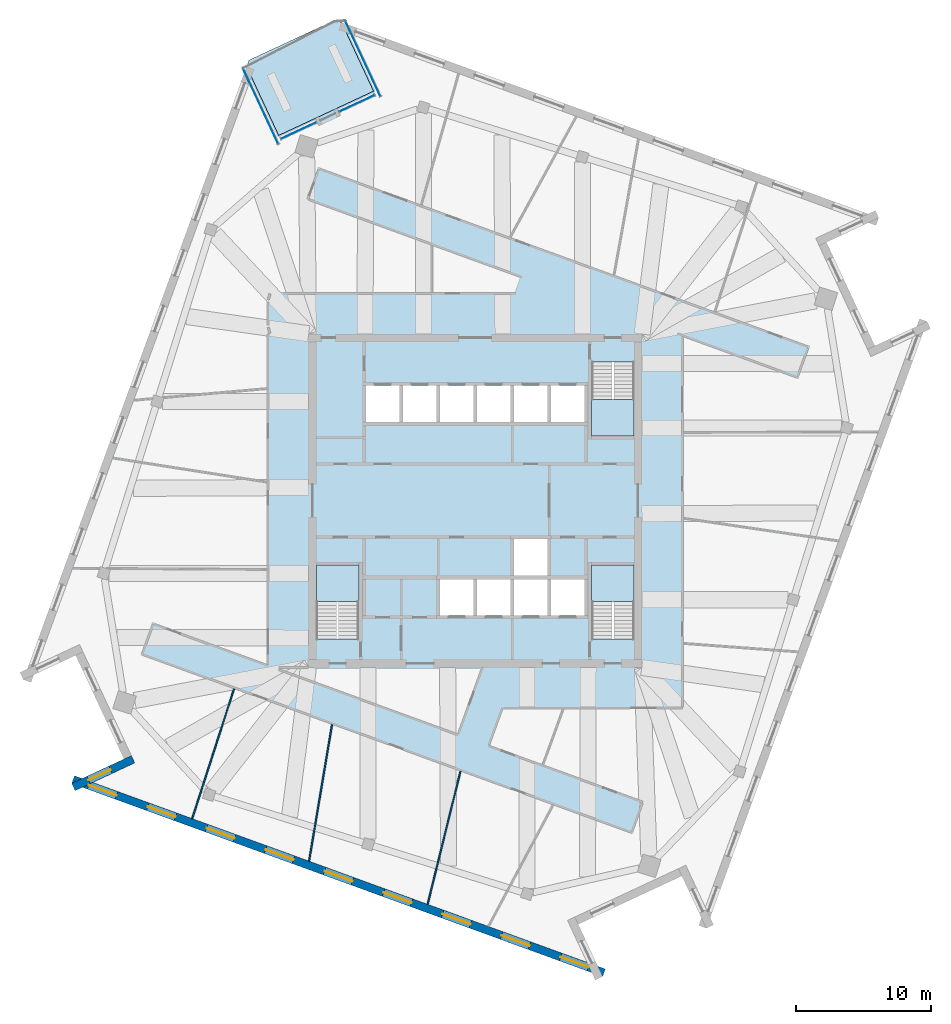
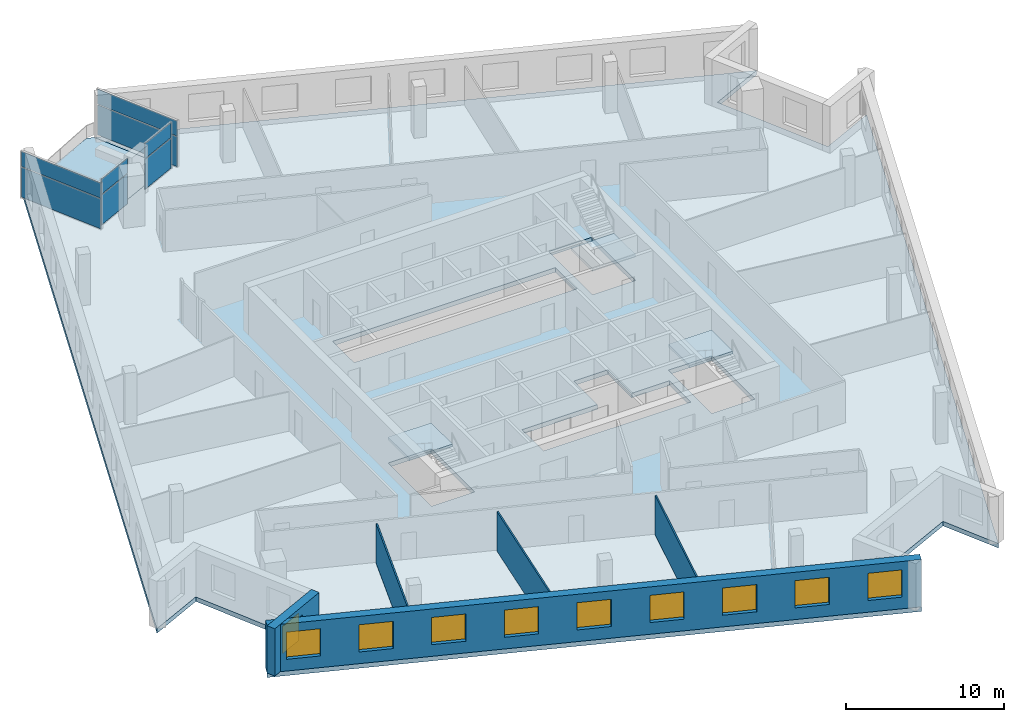
# One storey, part 5 of 13: 10 windows, 8 plates, 5 slabs, 5 walls, 10 openings, 7 elements without a shape of their own.
"""IFC4 building model written with IfcOpenShell, lengths in metres."""

import ifcopenshell
import ifcopenshell.guid

model = None  # the IFC model being written
_history = None  # IfcOwnerHistory: only IFC2X3 demands one
_inside = {}  # id of a spatial element -> (the spatial element, [elements in it])
_under = {}  # id of a project, library or spatial element -> (it, [spatial elements below it])
_declared = {}  # id of a project -> (the project, [libraries it declares])
_typed = {}  # id of a type object -> (the type object, [elements of that type])
_made_of = {}  # id of a material, layer set ... -> (it, [elements and type objects made of it])


def new_model(schema):
    """Start an empty IFC model of exactly this schema.

    Asked for "IFC4X3", IfcOpenShell would pick the latest addendum, in which some entities
    have other attributes; the version numbers below select the first issue.
    IFC2X3 requires an IfcOwnerHistory on every rooted entity: one is made here for all.
    """
    global model, _history
    if schema == "IFC4X3":
        model = ifcopenshell.file(schema_version=(4, 3, 0, 0))
    else:
        model = ifcopenshell.file(schema=schema)
    _inside.clear()
    _under.clear()
    _declared.clear()
    _typed.clear()
    _made_of.clear()
    _history = None
    if model.schema == "IFC2X3":
        org = make("IfcOrganization", Name="unknown")
        user = make(
            "IfcPersonAndOrganization",
            ThePerson=make("IfcPerson", FamilyName="unknown"),
            TheOrganization=org,
        )
        app = make(
            "IfcApplication",
            ApplicationDeveloper=org,
            Version="unknown",
            ApplicationFullName="unknown",
            ApplicationIdentifier="unknown",
        )
        _history = make(
            "IfcOwnerHistory",
            OwningUser=user,
            OwningApplication=app,
            ChangeAction="ADDED",
            CreationDate=0,
        )
    return model


def make(cls, **values):
    """One entity of the class cls with the attributes given. An attribute that is None is left unset."""
    return model.create_entity(
        cls, **{name: value for name, value in values.items() if value is not None}
    )


def rooted(cls, **values):
    """An entity with a GlobalId (a new one), such as an element, a storey or a relation."""
    return make(cls, GlobalId=ifcopenshell.guid.new(), OwnerHistory=_history, **values)


def si_unit(unit_type, name, prefix=None):
    """IfcSIUnit, for example si_unit("LENGTHUNIT", "METRE", prefix="MILLI")."""
    return make("IfcSIUnit", UnitType=unit_type, Prefix=prefix, Name=name)


def assignment(units):
    """IfcUnitAssignment: the units of a project."""
    return None if units is None else make("IfcUnitAssignment", Units=units)


def point(xyz):
    """IfcCartesianPoint."""
    return None if xyz is None else make("IfcCartesianPoint", Coordinates=xyz)


def direction(xyz):
    """IfcDirection."""
    return None if xyz is None else make("IfcDirection", DirectionRatios=xyz)


def frame(location, z_axis=None, x_axis=None):
    """IfcAxis2Placement3D, a coordinate frame: its origin and axes. An axis left out is left unset."""
    return make(
        "IfcAxis2Placement3D",
        Location=point(location),
        Axis=direction(z_axis),
        RefDirection=direction(x_axis),
    )


def frame_2d(location, x_axis=None):
    """IfcAxis2Placement2D, a coordinate frame in the plane: its origin and x axis."""
    return make(
        "IfcAxis2Placement2D", Location=point(location), RefDirection=direction(x_axis)
    )


def origin():
    """The frame at (0, 0, 0) with its axes left unset."""
    return frame((0.0, 0.0, 0.0))


def origin_2d():
    """The frame at (0, 0) in the plane with its x axis left unset."""
    return frame_2d((0.0, 0.0))


def place(relative_to, where):
    """IfcLocalPlacement: puts the frame where relative to a parent placement (None: the world)."""
    return make(
        "IfcLocalPlacement", PlacementRelTo=relative_to, RelativePlacement=where
    )


def context(
    kind, dimensions, precision=None, world=None, true_north=None, identifier=None
):
    """IfcGeometricRepresentationContext, for example the 3D "Model" context."""
    return make(
        "IfcGeometricRepresentationContext",
        ContextIdentifier=identifier,
        ContextType=kind,
        CoordinateSpaceDimension=dimensions,
        Precision=precision,
        WorldCoordinateSystem=world,
        TrueNorth=true_north,
    )


def subcontext(parent, identifier, kind, view, scale=None):
    """IfcGeometricRepresentationSubContext, for example "Body" below "Model"."""
    return make(
        "IfcGeometricRepresentationSubContext",
        ContextIdentifier=identifier,
        ContextType=kind,
        ParentContext=parent,
        TargetScale=scale,
        TargetView=view,
    )


def project(units=None, contexts=None):
    """IfcProject with its units and contexts."""
    return rooted(
        "IfcProject",
        Name="project",
        RepresentationContexts=contexts,
        UnitsInContext=assignment(units),
    )


def spatial(cls, under=None, at=None, **own):
    """A site, building, storey or space (cls), placed at a placement, below another one or the project."""
    s = rooted(cls, ObjectPlacement=at, **own)
    if under is not None:
        _under.setdefault(under.id(), (under, []))[1].append(s)
    return s


def polyline(points):
    """IfcPolyline through the points."""
    return make("IfcPolyline", Points=[point(p) for p in points])


def profile(cls, at=None, kind="AREA", **sizes):
    """A parametric profile (cls). Its sizes go by their IFC names, for example OverallWidth=200.0."""
    return make(cls, ProfileType=kind, Position=at, **sizes)


def rectangle(**sizes):
    """IfcRectangleProfileDef."""
    return profile("IfcRectangleProfileDef", **sizes)


def outline(outer, holes=None, kind="AREA"):
    """IfcArbitraryClosedProfileDef: a profile drawn as a closed curve; with holes, ...WithVoids."""
    if holes is None:
        return make("IfcArbitraryClosedProfileDef", ProfileType=kind, OuterCurve=outer)
    return make(
        "IfcArbitraryProfileDefWithVoids",
        ProfileType=kind,
        OuterCurve=outer,
        InnerCurves=holes,
    )


def extrude(swept, where, along, depth):
    """IfcExtrudedAreaSolid: the profile swept, set in the frame where, extruded along a direction by depth."""
    return make(
        "IfcExtrudedAreaSolid",
        SweptArea=swept,
        Position=where,
        ExtrudedDirection=direction(along),
        Depth=depth,
    )


def shape(context_of_items, identifier, shape_type, items):
    """IfcShapeRepresentation: the items that make up one representation, for example the "Body"."""
    return make(
        "IfcShapeRepresentation",
        ContextOfItems=context_of_items,
        RepresentationIdentifier=identifier,
        RepresentationType=shape_type,
        Items=items,
    )


def material(Name=None, Category=None):
    """IfcMaterial."""
    return make("IfcMaterial", Name=Name, Category=Category)


def layer(
    of_material, thickness, ventilated=None, Name=None, Category=None, Priority=None
):
    """IfcMaterialLayer: one layer of a wall or slab, of a material (None: an air gap)."""
    return make(
        "IfcMaterialLayer",
        Material=of_material,
        LayerThickness=thickness,
        IsVentilated=ventilated,
        Name=Name,
        Category=Category,
        Priority=Priority,
    )


def layer_set(layers, Name=None):
    """IfcMaterialLayerSet."""
    return make("IfcMaterialLayerSet", MaterialLayers=layers, LayerSetName=Name)


def made_of(thing, what):
    """Note that an element or type object is made of a material, layer set ...; save() writes the relation."""
    if what is not None:
        _made_of.setdefault(what.id(), (what, []))[1].append(thing)
    return thing


def type_object(cls, material=None, **own):
    """A type object (cls), such as IfcWallType, which elements share."""
    return made_of(rooted(cls, **own), material)


def element(
    cls,
    number,
    at=None,
    inside=None,
    cuts=None,
    type_object=None,
    material=None,
    context=None,
    identifier="Body",
    shape_type=None,
    held_by="IfcProductDefinitionShape",
    body=None,
    shapes=None,
    **own,
):
    """One element of the class cls, such as IfcWall. Its Tag is "e" and its number.

    at: its placement. inside: the storey or other place that contains it. cuts: it is an
    opening in that element (IfcRelVoidsElement). A single representation is given by context,
    identifier, shape_type and body (its items); several are given by shapes. held_by: the class
    of the entity that holds the representations. save() writes the other relations.
    """
    e = rooted(cls, Tag="e%d" % number, ObjectPlacement=at, **own)
    if body is not None:
        shapes = [shape(context, identifier, shape_type, body)]
    if shapes is not None:
        e.Representation = make(held_by, Representations=shapes)
    if inside is not None:
        _inside.setdefault(inside.id(), (inside, []))[1].append(e)
    if cuts is not None:
        rooted(
            "IfcRelVoidsElement", RelatingBuildingElement=cuts, RelatedOpeningElement=e
        )
    if type_object is not None:
        _typed.setdefault(type_object.id(), (type_object, []))[1].append(e)
    return made_of(e, material)


def fill(opening, filler):
    """IfcRelFillsElement: the door or window that sits in an opening."""
    return rooted(
        "IfcRelFillsElement",
        RelatingOpeningElement=opening,
        RelatedBuildingElement=filler,
    )


def aggregate(whole, parts):
    """IfcRelAggregates: a whole, such as a stair, and the parts it consists of."""
    return rooted("IfcRelAggregates", RelatingObject=whole, RelatedObjects=parts)


def save(model, path):
    """Write the relations noted so far, then the file.

    IfcRelAggregates (storeys below a building ...), IfcRelContainedInSpatialStructure (elements
    in a storey), IfcRelDefinesByType, IfcRelAssociatesMaterial and IfcRelDeclares: one each for
    every whole, place, type object, material and project.
    """
    for whole, parts in _under.values():
        aggregate(whole, parts)
    for where, things in _inside.values():
        rooted(
            "IfcRelContainedInSpatialStructure",
            RelatedElements=things,
            RelatingStructure=where,
        )
    for kind, things in _typed.values():
        rooted("IfcRelDefinesByType", RelatedObjects=things, RelatingType=kind)
    for what, things in _made_of.values():
        rooted("IfcRelAssociatesMaterial", RelatedObjects=things, RelatingMaterial=what)
    for by, libraries in _declared.values():
        rooted("IfcRelDeclares", RelatingContext=by, RelatedDefinitions=libraries)
    model.write(path)


model = new_model("IFC4")

# Units and contexts
model_context = context("Model", 3, precision=1e-05, world=origin(), true_north=direction((0.0, 1.0)))
body_context = subcontext(model_context, "Body", "Model", "MODEL_VIEW")
ifc_project = project(units=[si_unit("LENGTHUNIT", "METRE"), si_unit("AREAUNIT", "SQUARE_METRE"), si_unit("VOLUMEUNIT", "CUBIC_METRE"), si_unit("PLANEANGLEUNIT", "RADIAN"), si_unit("MASSUNIT", "GRAM", prefix="KILO")], contexts=[model_context])

# Site, building, storey
site_placement = place(None, origin())
site = spatial("IfcSite", under=ifc_project, at=site_placement, CompositionType="ELEMENT")
building_placement = place(site_placement, origin())
building = spatial("IfcBuilding", under=site, at=building_placement, Name="Dilmun Exchange Tower", CompositionType="ELEMENT")
storey_placement = place(building_placement, frame((0.0, 0.0, 304.5)))
storey = spatial("IfcBuildingStorey", under=building, at=storey_placement, Name="L72", CompositionType="ELEMENT", Elevation=304.5)

# Stair, slab
ifc_material_1 = material(Name="Concrete C40/50", Category="concrete")
stair_type = type_object("IfcStairType", Name="Exit stair 1500 half-turn", PredefinedType="HALF_TURN_STAIR", material=ifc_material_1)
stair_1_placement = place(storey_placement, origin())
stair_1 = element("IfcStair", 1, at=stair_1_placement, inside=storey, type_object=stair_type, Name="L72 Protected exit stair ST1", PredefinedType="HALF_TURN_STAIR")
ifc_layer_1 = layer(ifc_material_1, 0.199951171875)
ifc_layer_set_1 = layer_set([ifc_layer_1], Name="Concrete C40/50")
slab_type_1 = type_object("IfcSlabType", Name="Exit stair landing 200", PredefinedType="LANDING", material=ifc_layer_set_1)
slab_1_placement = place(storey_placement, frame((0.0, 0.0, 1.800048828125)))
slab_1 = element("IfcSlab", 2, at=slab_1_placement, type_object=slab_type_1, Name="ST1 landing 1", PredefinedType="LANDING", context=body_context, shape_type="SweptSolid", body=[
    extrude(outline(polyline([(8.64990234375, 7.5), (8.64990234375, 4.800048828125), (11.800048828125, 4.800048828125), (11.800048828125, 7.5), (8.64990234375, 7.5)])), origin(), (0.0, 0.0, 1.0), 0.199951171875),
])
aggregate(stair_1, [slab_1])

stair_2_placement = place(storey_placement, origin())
stair_2 = element("IfcStair", 3, at=stair_2_placement, inside=storey, type_object=stair_type, Name="L72 Protected exit stair ST2", PredefinedType="HALF_TURN_STAIR")
slab_2_placement = place(storey_placement, frame((0.0, 0.0, 1.800048828125)))
slab_2 = element("IfcSlab", 4, at=slab_2_placement, type_object=slab_type_1, Name="ST2 landing 1", PredefinedType="LANDING", context=body_context, shape_type="SweptSolid", body=[
    extrude(outline(polyline([(-8.64990234375, -7.5), (-8.64990234375, -4.800048828125), (-11.800048828125, -4.800048828125), (-11.800048828125, -7.5), (-8.64990234375, -7.5)])), origin(), (0.0, 0.0, 1.0), 0.199951171875),
])
aggregate(stair_2, [slab_2])

stair_3_placement = place(storey_placement, origin())
stair_3 = element("IfcStair", 5, at=stair_3_placement, inside=storey, type_object=stair_type, Name="L72 Protected exit stair ST3", PredefinedType="HALF_TURN_STAIR")
slab_3_placement = place(storey_placement, frame((0.0, 0.0, 1.800048828125)))
slab_3 = element("IfcSlab", 6, at=slab_3_placement, type_object=slab_type_1, Name="ST3 landing 1", PredefinedType="LANDING", context=body_context, shape_type="SweptSolid", body=[
    extrude(outline(polyline([(11.800048828125, -7.5), (11.800048828125, -4.800048828125), (8.64990234375, -4.800048828125), (8.64990234375, -7.5), (11.800048828125, -7.5)])), origin(), (0.0, 0.0, 1.0), 0.199951171875),
])
aggregate(stair_3, [slab_3])

# Curtain wall, plates
ifc_material_2 = material(Name="Anodised aluminium and clear glass", Category="aluminium")
curtain_wall_type = type_object("IfcCurtainWallType", Name="Garden corner glazing", PredefinedType="NOTDEFINED", material=ifc_material_2)
curtain_wall_1_placement = place(storey_placement, origin())
curtain_wall_1 = element("IfcCurtainWall", 7, at=curtain_wall_1_placement, inside=storey, type_object=curtain_wall_type, Name="Garden corner glazing run GC1.1", PredefinedType="NOTDEFINED")
ifc_material_3 = material(Name="Clear glass", Category="glass")
ifc_layer_2 = layer(ifc_material_3, 0.028076171875)
ifc_layer_set_2 = layer_set([ifc_layer_2], Name="Clear glass")
plate_type = type_object("IfcPlateType", Name="Garden corner glazing glass panel 28", PredefinedType="CURTAIN_PANEL", material=ifc_layer_set_2)
plate_1_placement = place(storey_placement, frame((-8.350830078125, 32.84033203125, 0.06005859375), z_axis=(0.0, 0.0, 1.0), x_axis=(0.4226234014, -0.906305390357, 0.0)))
plate_1 = element("IfcPlate", 8, at=plate_1_placement, type_object=plate_type, Name="GC1.1 panel 1.1", PredefinedType="CURTAIN_PANEL", context=body_context, shape_type="SweptSolid", body=[
    extrude(rectangle(XDim=6.12646484375, YDim=0.028076171875, at=origin_2d()), origin(), (0.0, 0.0, 1.0), 2.31005859375),
])
plate_2_placement = place(storey_placement, frame((-8.350830078125, 32.84033203125, 2.43017578125), z_axis=(0.0, 0.0, 1.0), x_axis=(0.4226234014, -0.906305390357, 0.0)))
plate_2 = element("IfcPlate", 9, at=plate_2_placement, type_object=plate_type, Name="GC1.1 panel 1.2", PredefinedType="CURTAIN_PANEL", context=body_context, shape_type="SweptSolid", body=[
    extrude(rectangle(XDim=6.12646484375, YDim=0.028076171875, at=origin_2d()), origin(), (0.0, 0.0, 1.0), 1.159912109375),
])
aggregate(curtain_wall_1, [plate_1, plate_2])

curtain_wall_2_placement = place(storey_placement, origin())
curtain_wall_2 = element("IfcCurtainWall", 10, at=curtain_wall_2_placement, inside=storey, type_object=curtain_wall_type, Name="Garden corner glazing run GC2.1", PredefinedType="NOTDEFINED")
plate_3_placement = place(storey_placement, frame((-8.7841796875, 29.523193359375, 0.06005859375), z_axis=(0.0, 0.0, 1.0), x_axis=(-0.906311303987, -0.422610719535, 0.0)))
plate_3 = element("IfcPlate", 11, at=plate_3_placement, type_object=plate_type, Name="GC2.1 panel 1.1", PredefinedType="CURTAIN_PANEL", context=body_context, shape_type="SweptSolid", body=[
    extrude(rectangle(XDim=2.869140625, YDim=0.028076171875, at=origin_2d()), origin(), (0.0, 0.0, 1.0), 2.31005859375),
])
plate_4_placement = place(storey_placement, frame((-8.7841796875, 29.523193359375, 2.43017578125), z_axis=(0.0, 0.0, 1.0), x_axis=(-0.906311303987, -0.422610719535, 0.0)))
plate_4 = element("IfcPlate", 12, at=plate_4_placement, type_object=plate_type, Name="GC2.1 panel 1.2", PredefinedType="CURTAIN_PANEL", context=body_context, shape_type="SweptSolid", body=[
    extrude(rectangle(XDim=2.869140625, YDim=0.028076171875, at=origin_2d()), origin(), (0.0, 0.0, 1.0), 1.159912109375),
])
aggregate(curtain_wall_2, [plate_3, plate_4])

curtain_wall_3_placement = place(storey_placement, origin())
curtain_wall_3 = element("IfcCurtainWall", 13, at=curtain_wall_3_placement, inside=storey, type_object=curtain_wall_type, Name="Garden corner glazing run GC2.3", PredefinedType="NOTDEFINED")
plate_5_placement = place(storey_placement, frame((-13.12451171875, 27.499267578125, 0.06005859375), z_axis=(0.0, 0.0, 1.0), x_axis=(-0.906311303987, -0.422610719535, 0.0)))
plate_5 = element("IfcPlate", 14, at=plate_5_placement, type_object=plate_type, Name="GC2.3 panel 1.1", PredefinedType="CURTAIN_PANEL", context=body_context, shape_type="SweptSolid", body=[
    extrude(rectangle(XDim=2.869140625, YDim=0.028076171875, at=origin_2d()), origin(), (0.0, 0.0, 1.0), 2.31005859375),
])
plate_6_placement = place(storey_placement, frame((-13.12451171875, 27.499267578125, 2.43017578125), z_axis=(0.0, 0.0, 1.0), x_axis=(-0.906311303987, -0.422610719535, 0.0)))
plate_6 = element("IfcPlate", 15, at=plate_6_placement, type_object=plate_type, Name="GC2.3 panel 1.2", PredefinedType="CURTAIN_PANEL", context=body_context, shape_type="SweptSolid", body=[
    extrude(rectangle(XDim=2.869140625, YDim=0.028076171875, at=origin_2d()), origin(), (0.0, 0.0, 1.0), 1.159912109375),
])
aggregate(curtain_wall_3, [plate_5, plate_6])

curtain_wall_4_placement = place(storey_placement, origin())
curtain_wall_4 = element("IfcCurtainWall", 16, at=curtain_wall_4_placement, inside=storey, type_object=curtain_wall_type, Name="Garden corner glazing run GC3.1", PredefinedType="NOTDEFINED")
plate_7_placement = place(storey_placement, frame((-15.944091796875, 29.299560546875, 0.06005859375), z_axis=(0.0, 0.0, 1.0), x_axis=(-0.4226234014, 0.906305390357, 0.0)))
plate_7 = element("IfcPlate", 17, at=plate_7_placement, type_object=plate_type, Name="GC3.1 panel 1.1", PredefinedType="CURTAIN_PANEL", context=body_context, shape_type="SweptSolid", body=[
    extrude(rectangle(XDim=6.12646484375, YDim=0.028076171875, at=origin_2d()), origin(), (0.0, 0.0, 1.0), 2.31005859375),
])
plate_8_placement = place(storey_placement, frame((-15.944091796875, 29.299560546875, 2.43017578125), z_axis=(0.0, 0.0, 1.0), x_axis=(-0.4226234014, 0.906305390357, 0.0)))
plate_8 = element("IfcPlate", 18, at=plate_8_placement, type_object=plate_type, Name="GC3.1 panel 1.2", PredefinedType="CURTAIN_PANEL", context=body_context, shape_type="SweptSolid", body=[
    extrude(rectangle(XDim=6.12646484375, YDim=0.028076171875, at=origin_2d()), origin(), (0.0, 0.0, 1.0), 1.159912109375),
])
aggregate(curtain_wall_4, [plate_7, plate_8])

# Slabs
ifc_layer_3 = layer(ifc_material_1, 0.35009765625)
ifc_layer_set_3 = layer_set([ifc_layer_3], Name="Concrete C40/50")
slab_type_2 = type_object("IfcSlabType", Name="RC floor slab 350", PredefinedType="FLOOR", material=ifc_layer_set_3)
slab_4_placement = place(storey_placement, frame((0.0, 0.0, -0.35009765625)))
element("IfcSlab", 19, at=slab_4_placement, inside=storey, type_object=slab_type_2, Name="Floor slab", PredefinedType="FLOOR", context=body_context, shape_type="SweptSolid", body=[
    extrude(outline(polyline([(26.100341796875, 19.20068359375), (29.692626953125, 11.497314453125), (33.57666015625, 13.308349609375), (17.166748046875, -31.77734375), (15.355712890625, -27.893310546875), (7.652099609375, -31.485595703125), (9.463134765625, -35.36962890625), (-29.984375, -21.011962890625), (-26.100341796875, -19.20068359375), (-29.692626953125, -11.497314453125), (-33.57666015625, -13.308349609375), (-16.9921875, 32.257080078125), (-14.60595703125, 27.1396484375), (-7.556396484375, 30.4267578125), (-9.94287109375, 35.544189453125), (29.984375, 21.011962890625), (26.100341796875, 19.20068359375)]), holes=[polyline([(-8.64990234375, -4.800048828125), (-11.800048828125, -4.800048828125), (-11.800048828125, -10.294921875), (-8.64990234375, -10.294921875), (-8.64990234375, -4.800048828125)]), polyline([(11.800048828125, -4.800048828125), (8.64990234375, -4.800048828125), (8.64990234375, -10.294921875), (11.800048828125, -10.294921875), (11.800048828125, -4.800048828125)]), polyline([(2.875, -5.85009765625), (-2.625, -5.85009765625), (-2.625, -8.550048828125), (8.125, -8.550048828125), (8.125, -5.85009765625), (5.375, -5.85009765625), (5.375, -2.85009765625), (2.875, -2.85009765625), (2.875, -5.85009765625)]), polyline([(8.125, 5.85009765625), (8.125, 8.550048828125), (-8.125, 8.550048828125), (-8.125, 5.85009765625), (8.125, 5.85009765625)]), polyline([(8.64990234375, 10.294921875), (8.64990234375, 4.800048828125), (11.800048828125, 4.800048828125), (11.800048828125, 10.294921875), (8.64990234375, 10.294921875)])]), origin(), (0.0, 0.0, 1.0), 0.35009765625),
])
ifc_layer_4 = layer(ifc_material_1, 0.300048828125)
ifc_layer_set_4 = layer_set([ifc_layer_4], Name="Concrete C40/50")
slab_type_3 = type_object("IfcSlabType", Name="RC garden terrace slab 300", PredefinedType="FLOOR", material=ifc_layer_set_4)
slab_5_placement = place(storey_placement, frame((0.0, 0.0, -0.300048828125)))
element("IfcSlab", 20, at=slab_5_placement, inside=storey, type_object=slab_type_3, Name="Garden terrace slab", PredefinedType="FLOOR", context=body_context, shape_type="SweptSolid", body=[
    extrude(outline(polyline([(-14.60595703125, 27.1396484375), (-16.9921875, 32.257080078125), (-16.8212890625, 32.726806640625), (-10.41259765625, 35.715087890625), (-9.94287109375, 35.544189453125), (-7.556396484375, 30.4267578125), (-14.60595703125, 27.1396484375)])), origin(), (0.0, 0.0, 1.0), 0.300048828125),
])

# Walls
ifc_material_4 = material(Name="Partition 100")
ifc_layer_5 = layer(ifc_material_4, 0.10009765625)
ifc_layer_set_5 = layer_set([ifc_layer_5], Name="Partition 100")
wall_type_1 = type_object("IfcWallType", Name="Partition 100", PredefinedType="PARTITIONING", material=ifc_layer_set_5)
wall_1_placement = place(storey_placement, frame((-21.032958984375, -23.62939453125, 0.0), z_axis=(0.0, 0.0, 1.0), x_axis=(0.306852130572, 0.951757201162, 0.0)))
element("IfcWall", 21, at=wall_1_placement, inside=storey, type_object=wall_type_1, Name="Partition", PredefinedType="PARTITIONING", context=body_context, shape_type="SweptSolid", body=[
    extrude(rectangle(XDim=10.133056640625, YDim=0.10009765625, at=frame_2d((5.06640625, 0.0))), origin(), (0.0, 0.0, 1.0), 3.050048828125),
])
wall_2_placement = place(storey_placement, frame((-12.349365234375, -26.789794921875, 0.0), z_axis=(0.0, 0.0, 1.0), x_axis=(0.165814832818, 0.986156904969, 0.0)))
element("IfcWall", 22, at=wall_2_placement, inside=storey, type_object=wall_type_1, Name="Partition", PredefinedType="PARTITIONING", context=body_context, shape_type="SweptSolid", body=[
    extrude(rectangle(XDim=10.288818359375, YDim=0.10009765625, at=frame_2d((5.14453125, 0.0))), origin(), (0.0, 0.0, 1.0), 3.050048828125),
])
wall_3_placement = place(storey_placement, frame((-3.539794921875, -29.99609375, 0.0), z_axis=(0.0, 0.0, 1.0), x_axis=(0.239628478721, 0.970864662137, 0.0)))
element("IfcWall", 23, at=wall_3_placement, inside=storey, type_object=wall_type_1, Name="Partition", PredefinedType="PARTITIONING", context=body_context, shape_type="SweptSolid", body=[
    extrude(rectangle(XDim=10.18017578125, YDim=0.10009765625, at=frame_2d((5.090087890625, 0.0))), origin(), (0.0, 0.0, 1.0), 3.050048828125),
])

# Wall, opening, window
ifc_material_5 = material(Name="Precast concrete C50/60", Category="concrete")
ifc_layer_6 = layer(ifc_material_5, 0.60009765625)
ifc_layer_set_6 = layer_set([ifc_layer_6], Name="Precast concrete C50/60")
wall_type_2 = type_object("IfcWallType", Name="Precast stone-clad wall 600", PredefinedType="STANDARD", material=ifc_layer_set_6)
wall_4_placement = place(storey_placement, frame((-25.4296875, -19.218994140625, 0.0), z_axis=(0.0, 0.0, 1.0), x_axis=(-0.906315863802, -0.422600940628, 0.0)))
wall_4 = element("IfcWall", 24, at=wall_4_placement, inside=storey, type_object=wall_type_2, Name="Facade wall L72-06", PredefinedType="STANDARD", context=body_context, shape_type="SweptSolid", body=[
    extrude(rectangle(XDim=4.8857421875, YDim=0.60009765625, at=frame_2d((2.44287109375, 0.0))), origin(), (0.0, 0.0, 1.0), 3.64990234375),
])
opening_1_placement = place(wall_4_placement, frame((1.8427734375, 0.0, 0.89990234375)))
opening_1 = element("IfcOpeningElement", 25, at=opening_1_placement, cuts=wall_4, Name="Opening W180-210", PredefinedType="OPENING", context=body_context, shape_type="SweptSolid", body=[
    extrude(rectangle(XDim=1.800048828125, YDim=2.10009765625, at=frame_2d((0.89990234375, 1.050048828125))), frame((0.0, 0.31005859375, 0.0), z_axis=(0.0, -1.0, 0.0), x_axis=(1.0, 0.0, 0.0)), (0.0, 0.0, 1.0), 0.6201171875),
])
ifc_material_6 = material(Name="Clear low-emissivity glass in aluminium frame", Category="aluminium")
window_type_1 = type_object("IfcWindowType", Name="Punched window 1800 x 2100", PartitioningType="DOUBLE_PANEL_VERTICAL", PredefinedType="WINDOW", material=ifc_material_6)
window_1_placement = place(opening_1_placement, origin())
window_1 = element("IfcWindow", 26, at=window_1_placement, inside=storey, type_object=window_type_1, Name="Window 7.1", OverallHeight=2.10009765625, OverallWidth=1.800048828125, PartitioningType="SINGLE_PANEL", PredefinedType="WINDOW", context=body_context, shape_type="SweptSolid", body=[
    extrude(rectangle(XDim=1.800048828125, YDim=2.10009765625, at=frame_2d((0.89990234375, 1.050048828125))), frame((0.0, 0.030029296875, 0.0), z_axis=(0.0, -1.0, 0.0), x_axis=(1.0, 0.0, 0.0)), (0.0, 0.0, 1.0), 0.06005859375),
])
fill(opening_1, window_1)

# Wall, openings, windows
wall_5_placement = place(storey_placement, frame((-29.8818359375, -20.72998046875, 0.0), z_axis=(0.0, 0.0, 1.0), x_axis=(0.939693709578, -0.34201715188, 0.0)))
wall_5 = element("IfcWall", 27, at=wall_5_placement, inside=storey, type_object=wall_type_2, Name="Facade wall L72-07", PredefinedType="STANDARD", context=body_context, shape_type="SweptSolid", body=[
    extrude(rectangle(XDim=41.9794921875, YDim=0.60009765625, at=frame_2d((20.98974609375, 0.0))), origin(), (0.0, 0.0, 1.0), 3.64990234375),
])
opening_2_placement = place(wall_5_placement, frame((1.232177734375, 0.0, 0.89990234375)))
opening_2 = element("IfcOpeningElement", 28, at=opening_2_placement, cuts=wall_5, Name="Opening W220-210", PredefinedType="OPENING", context=body_context, shape_type="SweptSolid", body=[
    extrude(rectangle(XDim=2.199951171875, YDim=2.10009765625, at=frame_2d((1.10009765625, 1.050048828125))), frame((0.0, 0.31005859375, 0.0), z_axis=(0.0, -1.0, 0.0), x_axis=(1.0, 0.0, 0.0)), (0.0, 0.0, 1.0), 0.6201171875),
])
opening_3_placement = place(wall_5_placement, frame((5.896484375, 0.0, 0.89990234375)))
opening_3 = element("IfcOpeningElement", 29, at=opening_3_placement, cuts=wall_5, Name="Opening W220-210", PredefinedType="OPENING", context=body_context, shape_type="SweptSolid", body=[
    extrude(rectangle(XDim=2.199951171875, YDim=2.10009765625, at=frame_2d((1.10009765625, 1.050048828125))), frame((0.0, 0.31005859375, 0.0), z_axis=(0.0, -1.0, 0.0), x_axis=(1.0, 0.0, 0.0)), (0.0, 0.0, 1.0), 0.6201171875),
])
opening_4_placement = place(wall_5_placement, frame((10.560791015625, 0.0, 0.89990234375)))
opening_4 = element("IfcOpeningElement", 30, at=opening_4_placement, cuts=wall_5, Name="Opening W220-210", PredefinedType="OPENING", context=body_context, shape_type="SweptSolid", body=[
    extrude(rectangle(XDim=2.199951171875, YDim=2.10009765625, at=frame_2d((1.10009765625, 1.050048828125))), frame((0.0, 0.31005859375, 0.0), z_axis=(0.0, -1.0, 0.0), x_axis=(1.0, 0.0, 0.0)), (0.0, 0.0, 1.0), 0.6201171875),
])
opening_5_placement = place(wall_5_placement, frame((15.22509765625, 0.0, 0.89990234375)))
opening_5 = element("IfcOpeningElement", 31, at=opening_5_placement, cuts=wall_5, Name="Opening W220-210", PredefinedType="OPENING", context=body_context, shape_type="SweptSolid", body=[
    extrude(rectangle(XDim=2.199951171875, YDim=2.10009765625, at=frame_2d((1.10009765625, 1.050048828125))), frame((0.0, 0.31005859375, 0.0), z_axis=(0.0, -1.0, 0.0), x_axis=(1.0, 0.0, 0.0)), (0.0, 0.0, 1.0), 0.6201171875),
])
opening_6_placement = place(wall_5_placement, frame((19.8896484375, 0.0, 0.89990234375)))
opening_6 = element("IfcOpeningElement", 32, at=opening_6_placement, cuts=wall_5, Name="Opening W220-210", PredefinedType="OPENING", context=body_context, shape_type="SweptSolid", body=[
    extrude(rectangle(XDim=2.199951171875, YDim=2.10009765625, at=frame_2d((1.10009765625, 1.050048828125))), frame((0.0, 0.31005859375, 0.0), z_axis=(0.0, -1.0, 0.0), x_axis=(1.0, 0.0, 0.0)), (0.0, 0.0, 1.0), 0.6201171875),
])
opening_7_placement = place(wall_5_placement, frame((24.553955078125, 0.0, 0.89990234375)))
opening_7 = element("IfcOpeningElement", 33, at=opening_7_placement, cuts=wall_5, Name="Opening W220-210", PredefinedType="OPENING", context=body_context, shape_type="SweptSolid", body=[
    extrude(rectangle(XDim=2.199951171875, YDim=2.10009765625, at=frame_2d((1.10009765625, 1.050048828125))), frame((0.0, 0.31005859375, 0.0), z_axis=(0.0, -1.0, 0.0), x_axis=(1.0, 0.0, 0.0)), (0.0, 0.0, 1.0), 0.6201171875),
])
opening_8_placement = place(wall_5_placement, frame((29.21826171875, 0.0, 0.89990234375)))
opening_8 = element("IfcOpeningElement", 34, at=opening_8_placement, cuts=wall_5, Name="Opening W220-210", PredefinedType="OPENING", context=body_context, shape_type="SweptSolid", body=[
    extrude(rectangle(XDim=2.199951171875, YDim=2.10009765625, at=frame_2d((1.10009765625, 1.050048828125))), frame((0.0, 0.31005859375, 0.0), z_axis=(0.0, -1.0, 0.0), x_axis=(1.0, 0.0, 0.0)), (0.0, 0.0, 1.0), 0.6201171875),
])
opening_9_placement = place(wall_5_placement, frame((33.8828125, 0.0, 0.89990234375)))
opening_9 = element("IfcOpeningElement", 35, at=opening_9_placement, cuts=wall_5, Name="Opening W220-210", PredefinedType="OPENING", context=body_context, shape_type="SweptSolid", body=[
    extrude(rectangle(XDim=2.199951171875, YDim=2.10009765625, at=frame_2d((1.10009765625, 1.050048828125))), frame((0.0, 0.31005859375, 0.0), z_axis=(0.0, -1.0, 0.0), x_axis=(1.0, 0.0, 0.0)), (0.0, 0.0, 1.0), 0.6201171875),
])
opening_10_placement = place(wall_5_placement, frame((38.547119140625, 0.0, 0.89990234375)))
opening_10 = element("IfcOpeningElement", 36, at=opening_10_placement, cuts=wall_5, Name="Opening W220-210", PredefinedType="OPENING", context=body_context, shape_type="SweptSolid", body=[
    extrude(rectangle(XDim=2.199951171875, YDim=2.10009765625, at=frame_2d((1.10009765625, 1.050048828125))), frame((0.0, 0.31005859375, 0.0), z_axis=(0.0, -1.0, 0.0), x_axis=(1.0, 0.0, 0.0)), (0.0, 0.0, 1.0), 0.6201171875),
])
window_type_2 = type_object("IfcWindowType", Name="Punched window 2200 x 2100", PartitioningType="DOUBLE_PANEL_VERTICAL", PredefinedType="WINDOW", material=ifc_material_6)
window_2_placement = place(opening_2_placement, origin())
window_2 = element("IfcWindow", 37, at=window_2_placement, inside=storey, type_object=window_type_2, Name="Window 8.1", OverallHeight=2.10009765625, OverallWidth=2.199951171875, PartitioningType="SINGLE_PANEL", PredefinedType="WINDOW", context=body_context, shape_type="SweptSolid", body=[
    extrude(rectangle(XDim=2.199951171875, YDim=2.10009765625, at=frame_2d((1.10009765625, 1.050048828125))), frame((0.0, 0.030029296875, 0.0), z_axis=(0.0, -1.0, 0.0), x_axis=(1.0, 0.0, 0.0)), (0.0, 0.0, 1.0), 0.06005859375),
])
fill(opening_2, window_2)
window_3_placement = place(opening_3_placement, origin())
window_3 = element("IfcWindow", 38, at=window_3_placement, inside=storey, type_object=window_type_2, Name="Window 8.2", OverallHeight=2.10009765625, OverallWidth=2.199951171875, PartitioningType="SINGLE_PANEL", PredefinedType="WINDOW", context=body_context, shape_type="SweptSolid", body=[
    extrude(rectangle(XDim=2.199951171875, YDim=2.10009765625, at=frame_2d((1.10009765625, 1.050048828125))), frame((0.0, 0.030029296875, 0.0), z_axis=(0.0, -1.0, 0.0), x_axis=(1.0, 0.0, 0.0)), (0.0, 0.0, 1.0), 0.06005859375),
])
fill(opening_3, window_3)
window_4_placement = place(opening_4_placement, origin())
window_4 = element("IfcWindow", 39, at=window_4_placement, inside=storey, type_object=window_type_2, Name="Window 8.3", OverallHeight=2.10009765625, OverallWidth=2.199951171875, PartitioningType="SINGLE_PANEL", PredefinedType="WINDOW", context=body_context, shape_type="SweptSolid", body=[
    extrude(rectangle(XDim=2.199951171875, YDim=2.10009765625, at=frame_2d((1.10009765625, 1.050048828125))), frame((0.0, 0.030029296875, 0.0), z_axis=(0.0, -1.0, 0.0), x_axis=(1.0, 0.0, 0.0)), (0.0, 0.0, 1.0), 0.06005859375),
])
fill(opening_4, window_4)
window_5_placement = place(opening_5_placement, origin())
window_5 = element("IfcWindow", 40, at=window_5_placement, inside=storey, type_object=window_type_2, Name="Window 8.4", OverallHeight=2.10009765625, OverallWidth=2.199951171875, PartitioningType="SINGLE_PANEL", PredefinedType="WINDOW", context=body_context, shape_type="SweptSolid", body=[
    extrude(rectangle(XDim=2.199951171875, YDim=2.10009765625, at=frame_2d((1.10009765625, 1.050048828125))), frame((0.0, 0.030029296875, 0.0), z_axis=(0.0, -1.0, 0.0), x_axis=(1.0, 0.0, 0.0)), (0.0, 0.0, 1.0), 0.06005859375),
])
fill(opening_5, window_5)
window_6_placement = place(opening_6_placement, origin())
window_6 = element("IfcWindow", 41, at=window_6_placement, inside=storey, type_object=window_type_2, Name="Window 8.5", OverallHeight=2.10009765625, OverallWidth=2.199951171875, PartitioningType="SINGLE_PANEL", PredefinedType="WINDOW", context=body_context, shape_type="SweptSolid", body=[
    extrude(rectangle(XDim=2.199951171875, YDim=2.10009765625, at=frame_2d((1.10009765625, 1.050048828125))), frame((0.0, 0.030029296875, 0.0), z_axis=(0.0, -1.0, 0.0), x_axis=(1.0, 0.0, 0.0)), (0.0, 0.0, 1.0), 0.06005859375),
])
fill(opening_6, window_6)
window_7_placement = place(opening_7_placement, origin())
window_7 = element("IfcWindow", 42, at=window_7_placement, inside=storey, type_object=window_type_2, Name="Window 8.6", OverallHeight=2.10009765625, OverallWidth=2.199951171875, PartitioningType="SINGLE_PANEL", PredefinedType="WINDOW", context=body_context, shape_type="SweptSolid", body=[
    extrude(rectangle(XDim=2.199951171875, YDim=2.10009765625, at=frame_2d((1.10009765625, 1.050048828125))), frame((0.0, 0.030029296875, 0.0), z_axis=(0.0, -1.0, 0.0), x_axis=(1.0, 0.0, 0.0)), (0.0, 0.0, 1.0), 0.06005859375),
])
fill(opening_7, window_7)
window_8_placement = place(opening_8_placement, origin())
window_8 = element("IfcWindow", 43, at=window_8_placement, inside=storey, type_object=window_type_2, Name="Window 8.7", OverallHeight=2.10009765625, OverallWidth=2.199951171875, PartitioningType="SINGLE_PANEL", PredefinedType="WINDOW", context=body_context, shape_type="SweptSolid", body=[
    extrude(rectangle(XDim=2.199951171875, YDim=2.10009765625, at=frame_2d((1.10009765625, 1.050048828125))), frame((0.0, 0.030029296875, 0.0), z_axis=(0.0, -1.0, 0.0), x_axis=(1.0, 0.0, 0.0)), (0.0, 0.0, 1.0), 0.06005859375),
])
fill(opening_8, window_8)
window_9_placement = place(opening_9_placement, origin())
window_9 = element("IfcWindow", 44, at=window_9_placement, inside=storey, type_object=window_type_2, Name="Window 8.8", OverallHeight=2.10009765625, OverallWidth=2.199951171875, PartitioningType="SINGLE_PANEL", PredefinedType="WINDOW", context=body_context, shape_type="SweptSolid", body=[
    extrude(rectangle(XDim=2.199951171875, YDim=2.10009765625, at=frame_2d((1.10009765625, 1.050048828125))), frame((0.0, 0.030029296875, 0.0), z_axis=(0.0, -1.0, 0.0), x_axis=(1.0, 0.0, 0.0)), (0.0, 0.0, 1.0), 0.06005859375),
])
fill(opening_9, window_9)
window_10_placement = place(opening_10_placement, origin())
window_10 = element("IfcWindow", 45, at=window_10_placement, inside=storey, type_object=window_type_2, Name="Window 8.9", OverallHeight=2.10009765625, OverallWidth=2.199951171875, PartitioningType="SINGLE_PANEL", PredefinedType="WINDOW", context=body_context, shape_type="SweptSolid", body=[
    extrude(rectangle(XDim=2.199951171875, YDim=2.10009765625, at=frame_2d((1.10009765625, 1.050048828125))), frame((0.0, 0.030029296875, 0.0), z_axis=(0.0, -1.0, 0.0), x_axis=(1.0, 0.0, 0.0)), (0.0, 0.0, 1.0), 0.06005859375),
])
fill(opening_10, window_10)

save(model, "model.ifc")
